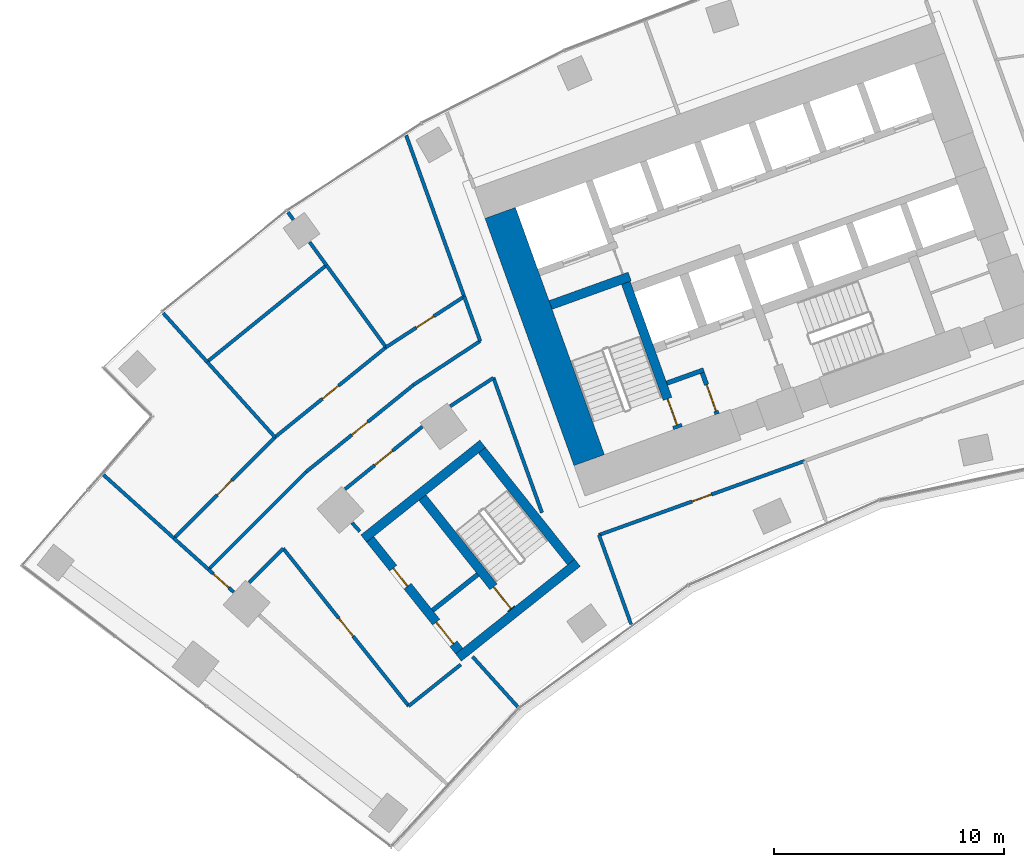
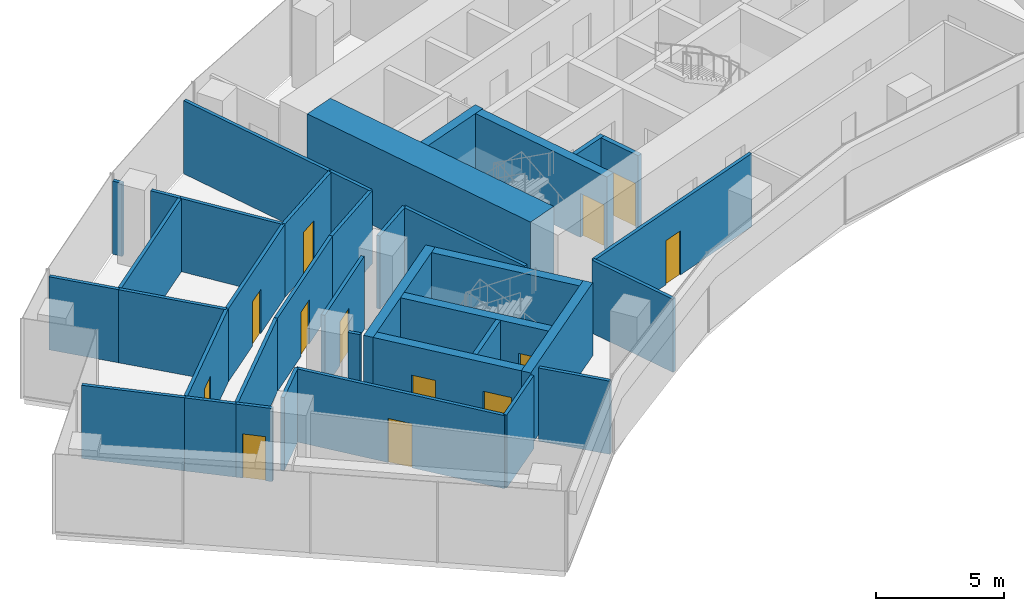
# One storey, part 14 of 21: 38 walls, 13 doors, 13 openings.
"""IFC4 building model written with IfcOpenShell, lengths in metres."""

from ifc_helpers import new_model, si_unit, direction, frame, frame_2d, origin, place, context, subcontext, project, spatial, rectangle, extrude, material, layer, layer_set, type_object, element, fill, save


model = new_model("IFC4")

# Units and contexts
model_context = context("Model", 3, precision=1e-05, world=origin(), true_north=direction((0.0, 1.0)))
body_context = subcontext(model_context, "Body", "Model", "MODEL_VIEW")
ifc_project = project(units=[si_unit("LENGTHUNIT", "METRE"), si_unit("AREAUNIT", "SQUARE_METRE"), si_unit("VOLUMEUNIT", "CUBIC_METRE"), si_unit("PLANEANGLEUNIT", "RADIAN"), si_unit("MASSUNIT", "GRAM", prefix="KILO")], contexts=[model_context])

# Site, building, storey
site_placement = place(None, origin())
site = spatial("IfcSite", under=ifc_project, at=site_placement, CompositionType="ELEMENT")
building_placement = place(site_placement, origin())
building = spatial("IfcBuilding", under=site, at=building_placement, Name="Stone Belt Terrace Tower", CompositionType="ELEMENT")
storey_placement = place(building_placement, frame((0.0, 0.0, 94.60009765625)))
storey = spatial("IfcBuildingStorey", under=building, at=storey_placement, Name="L22", CompositionType="ELEMENT", Elevation=94.60009765625)

# Walls
ifc_material_1 = material(Name="Concrete B80", Category="concrete")
ifc_layer_1 = layer(ifc_material_1, 1.39990234375)
ifc_layer_set_1 = layer_set([ifc_layer_1], Name="Core wall 1400 B80")
wall_type_1 = type_object("IfcWallType", Name="Core wall 1400 B80", PredefinedType="SHEAR", material=ifc_layer_set_1)
wall_1_placement = place(storey_placement, frame((-26.00927734375, 43.03515625, 0.0), z_axis=(0.0, 0.0, 1.0), x_axis=(-0.338625431531, 0.940921259788, 0.0)))
element("IfcWall", 1, at=wall_1_placement, inside=storey, type_object=wall_type_1, Name="Core A wall end_a L22", PredefinedType="SHEAR", context=body_context, shape_type="SweptSolid", body=[
    extrude(rectangle(XDim=11.400146484375, YDim=1.39990234375, at=frame_2d((5.7001953125, 0.0))), origin(), (0.0, 0.0, 1.0), 3.7998046875),
])
ifc_material_2 = material(Name="Gypsum board partition")
ifc_layer_2 = layer(ifc_material_2, 0.14990234375)
ifc_layer_set_2 = layer_set([ifc_layer_2], Name="PARTITION 150 EI 60")
wall_type_2 = type_object("IfcWallType", Name="PARTITION 150 EI 60", PredefinedType="PARTITIONING", material=ifc_layer_set_2)
wall_2_placement = place(storey_placement, frame((-25.5859375, 39.79296875, 0.0), z_axis=(0.0, 0.0, 1.0), x_axis=(0.338545933013, -0.940949866486, 0.0)))
element("IfcWall", 2, at=wall_2_placement, inside=storey, type_object=wall_type_2, Name="L22/wall/i001", PredefinedType="PARTITIONING", context=body_context, shape_type="SweptSolid", body=[
    extrude(rectangle(XDim=4.135009765625, YDim=0.14990234375, at=frame_2d((2.0673828125, 0.0))), origin(), (0.0, 0.0, 1.0), 3.47998046875),
])
wall_3_placement = place(storey_placement, frame((-28.05810546875, 40.75390625, 0.0), z_axis=(0.0, 0.0, 1.0), x_axis=(-0.338523697563, 0.94095786632, 0.0)))
element("IfcWall", 3, at=wall_3_placement, inside=storey, type_object=wall_type_2, Name="L22/wall/i003", PredefinedType="PARTITIONING", context=body_context, shape_type="SweptSolid", body=[
    extrude(rectangle(XDim=6.226806640625, YDim=0.14990234375, at=frame_2d((3.11328125, 0.0))), origin(), (0.0, 0.0, 1.0), 3.47998046875),
])
wall_4_placement = place(storey_placement, frame((-29.107177734375, 32.32666015625, 0.0), z_axis=(0.0, 0.0, 1.0), x_axis=(-0.669245075227, 0.74304174128, 0.0)))
element("IfcWall", 4, at=wall_4_placement, inside=storey, type_object=wall_type_2, Name="L22/wall/i004", PredefinedType="PARTITIONING", context=body_context, shape_type="SweptSolid", body=[
    extrude(rectangle(XDim=2.9345703125, YDim=0.14990234375, at=frame_2d((1.46728515625, 0.0))), origin(), (0.0, 0.0, 1.0), 3.47998046875),
])
wall_5_placement = place(storey_placement, frame((-30.737060546875, 48.197021484375, 0.0), z_axis=(0.0, 0.0, 1.0), x_axis=(-0.338522672426, 0.940958235127, 0.0)))
element("IfcWall", 5, at=wall_5_placement, inside=storey, type_object=wall_type_2, Name="L22/wall/i005", PredefinedType="PARTITIONING", context=body_context, shape_type="SweptSolid", body=[
    extrude(rectangle(XDim=2.064697265625, YDim=0.14990234375, at=frame_2d((1.0322265625, 0.0))), origin(), (0.0, 0.0, 1.0), 3.47998046875),
])
wall_6_placement = place(storey_placement, frame((-31.431884765625, 50.12890625, 0.0), z_axis=(0.0, 0.0, 1.0), x_axis=(-0.338627692375, 0.940920446136, 0.0)))
element("IfcWall", 6, at=wall_6_placement, inside=storey, type_object=wall_type_2, Name="L22/wall/i006", PredefinedType="PARTITIONING", context=body_context, shape_type="SweptSolid", body=[
    extrude(rectangle(XDim=7.44189453125, YDim=0.14990234375, at=frame_2d((3.720947265625, 0.0))), origin(), (0.0, 0.0, 1.0), 3.47998046875),
])

# Wall, opening, door
wall_7_placement = place(storey_placement, frame((-16.6640625, 42.9970703125, 0.0), z_axis=(0.0, 0.0, 1.0), x_axis=(-0.940928114496, -0.338606384098, 0.0)))
wall_7 = element("IfcWall", 7, at=wall_7_placement, inside=storey, type_object=wall_type_2, Name="L22/wall/i012", PredefinedType="PARTITIONING", context=body_context, shape_type="SweptSolid", body=[
    extrude(rectangle(XDim=9.47998046875, YDim=0.14990234375, at=frame_2d((4.739990234375, 0.0))), origin(), (0.0, 0.0, 1.0), 3.47998046875),
])
opening_1_placement = place(wall_7_placement, frame((4.2900390625, 0.0, 0.0)))
opening_1 = element("IfcOpeningElement", 8, at=opening_1_placement, cuts=wall_7, Name="Opening D-B2-01", PredefinedType="OPENING", context=body_context, shape_type="SweptSolid", body=[
    extrude(rectangle(XDim=0.89990234375, YDim=2.10009765625, at=frame_2d((0.449951171875, 1.050048828125))), frame((0.0, 0.0849609375, 0.0), z_axis=(0.0, -1.0, 0.0), x_axis=(1.0, 0.0, 0.0)), (0.0, 0.0, 1.0), 0.169921875),
])
ifc_material_3 = material(Name="Timber door leaf", Category="wood")
door_type_1 = type_object("IfcDoorType", Name="OFFICE DOOR 900 X 2100", OperationType="NOTDEFINED", PredefinedType="DOOR", material=ifc_material_3)
door_1_placement = place(opening_1_placement, origin())
door_1 = element("IfcDoor", 9, at=door_1_placement, inside=storey, type_object=door_type_1, Name="L22/door/i01", OperationType="SINGLE_SWING_RIGHT", OverallHeight=2.10009765625, OverallWidth=0.89990234375, PredefinedType="DOOR", context=body_context, shape_type="SweptSolid", body=[
    extrude(rectangle(XDim=0.89990234375, YDim=2.10009765625, at=frame_2d((0.449951171875, 1.050048828125))), frame((0.0, 0.02490234375, 0.0), z_axis=(0.0, -1.0, 0.0), x_axis=(1.0, 0.0, 0.0)), (0.0, 0.0, 1.0), 0.050048828125),
])
fill(opening_1, door_1)

wall_8_placement = place(storey_placement, frame((-41.43408203125, 37.307373046875, 0.0), z_axis=(0.0, 0.0, 1.0), x_axis=(-0.742890797428, 0.669412625439, 0.0)))
wall_8 = element("IfcWall", 10, at=wall_8_placement, inside=storey, type_object=wall_type_2, Name="L22/wall/i027", PredefinedType="PARTITIONING", context=body_context, shape_type="SweptSolid", body=[
    extrude(rectangle(XDim=1.475341796875, YDim=0.14990234375, at=frame_2d((0.73779296875, 0.0))), origin(), (0.0, 0.0, 1.0), 3.47998046875),
])
opening_2_placement = place(wall_8_placement, frame((0.28759765625, 0.0, 0.0)))
opening_2 = element("IfcOpeningElement", 11, at=opening_2_placement, cuts=wall_8, Name="Opening D-B2-09", PredefinedType="OPENING", context=body_context, shape_type="SweptSolid", body=[
    extrude(rectangle(XDim=0.89990234375, YDim=2.10009765625, at=frame_2d((0.449951171875, 1.050048828125))), frame((0.0, 0.0849609375, 0.0), z_axis=(0.0, -1.0, 0.0), x_axis=(1.0, 0.0, 0.0)), (0.0, 0.0, 1.0), 0.169921875),
])
ifc_material_4 = material(Name="Timber fire door leaf", Category="wood")
door_type_2 = type_object("IfcDoorType", Name="TENANCY ENTRANCE DOOR 900 X 2100", OperationType="NOTDEFINED", PredefinedType="DOOR", material=ifc_material_4)
door_2_placement = place(opening_2_placement, origin())
door_2 = element("IfcDoor", 12, at=door_2_placement, inside=storey, type_object=door_type_2, Name="L22/door/i09", OperationType="SINGLE_SWING_RIGHT", OverallHeight=2.10009765625, OverallWidth=0.89990234375, PredefinedType="DOOR", context=body_context, shape_type="SweptSolid", body=[
    extrude(rectangle(XDim=0.89990234375, YDim=2.10009765625, at=frame_2d((0.449951171875, 1.050048828125))), frame((0.0, 0.02490234375, 0.0), z_axis=(0.0, -1.0, 0.0), x_axis=(1.0, 0.0, 0.0)), (0.0, 0.0, 1.0), 0.050048828125),
])
fill(opening_2, door_2)

# Walls
wall_9_placement = place(storey_placement, frame((-44.033935546875, 39.64794921875, 0.0), z_axis=(0.0, 0.0, 1.0), x_axis=(0.743276242629, -0.668984623997, 0.0)))
element("IfcWall", 13, at=wall_9_placement, inside=storey, type_object=wall_type_2, Name="L22/wall/i029", PredefinedType="PARTITIONING", context=body_context, shape_type="SweptSolid", body=[
    extrude(rectangle(XDim=2.0341796875, YDim=0.14990234375, at=frame_2d((1.01708984375, 0.0))), origin(), (0.0, 0.0, 1.0), 3.47998046875),
])
wall_10_placement = place(storey_placement, frame((-47.08642578125, 42.39697265625, 0.0), z_axis=(0.0, 0.0, 1.0), x_axis=(0.743235201661, -0.669030219805, 0.0)))
element("IfcWall", 14, at=wall_10_placement, inside=storey, type_object=wall_type_2, Name="L22/wall/i030", PredefinedType="PARTITIONING", context=body_context, shape_type="SweptSolid", body=[
    extrude(rectangle(XDim=4.119140625, YDim=0.14990234375, at=frame_2d((2.0595703125, 0.0))), origin(), (0.0, 0.0, 1.0), 3.47998046875),
])
wall_11_placement = place(storey_placement, frame((-30.1640625, 46.60693359375, 0.0), z_axis=(0.0, 0.0, 1.0), x_axis=(-0.835456606052, -0.549556420583, 0.0)))
element("IfcWall", 15, at=wall_11_placement, inside=storey, type_object=wall_type_2, Name="L22/wall/i031", PredefinedType="PARTITIONING", context=body_context, shape_type="SweptSolid", body=[
    extrude(rectangle(XDim=2.239013671875, YDim=0.14990234375, at=frame_2d((1.11962890625, 0.0))), origin(), (0.0, 0.0, 1.0), 3.47998046875),
])

# Wall, opening, door
wall_12_placement = place(storey_placement, frame((-33.253662109375, 44.485107421875, 0.0), z_axis=(0.0, 0.0, 1.0), x_axis=(-0.777153738144, -0.62931078752, 0.0)))
wall_12 = element("IfcWall", 16, at=wall_12_placement, inside=storey, type_object=wall_type_2, Name="L22/wall/i032", PredefinedType="PARTITIONING", context=body_context, shape_type="SweptSolid", body=[
    extrude(rectangle(XDim=4.30517578125, YDim=0.14990234375, at=frame_2d((2.152587890625, 0.0))), origin(), (0.0, 0.0, 1.0), 3.47998046875),
])
opening_3_placement = place(wall_12_placement, frame((1.652587890625, 0.0, 0.0)))
opening_3 = element("IfcOpeningElement", 17, at=opening_3_placement, cuts=wall_12, Name="Opening D-B2-10", PredefinedType="OPENING", context=body_context, shape_type="SweptSolid", body=[
    extrude(rectangle(XDim=1.0, YDim=2.10009765625, at=frame_2d((0.5, 1.050048828125))), frame((0.0, 0.0849609375, 0.0), z_axis=(0.0, -1.0, 0.0), x_axis=(1.0, 0.0, 0.0)), (0.0, 0.0, 1.0), 0.169921875),
])
door_type_3 = type_object("IfcDoorType", Name="TENANCY ENTRANCE DOOR 1000 X 2100", OperationType="NOTDEFINED", PredefinedType="DOOR", material=ifc_material_4)
door_3_placement = place(opening_3_placement, origin())
door_3 = element("IfcDoor", 18, at=door_3_placement, inside=storey, type_object=door_type_3, Name="L22/door/i10", OperationType="SINGLE_SWING_RIGHT", OverallHeight=2.10009765625, OverallWidth=1.0, PredefinedType="DOOR", context=body_context, shape_type="SweptSolid", body=[
    extrude(rectangle(XDim=1.0, YDim=2.10009765625, at=frame_2d((0.5, 1.050048828125))), frame((0.0, 0.02490234375, 0.0), z_axis=(0.0, -1.0, 0.0), x_axis=(1.0, 0.0, 0.0)), (0.0, 0.0, 1.0), 0.050048828125),
])
fill(opening_3, door_3)

# Walls
wall_13_placement = place(storey_placement, frame((-39.281982421875, 39.205078125, 0.0), z_axis=(0.0, 0.0, 1.0), x_axis=(-0.707106781187, -0.707106781187, 0.0)))
element("IfcWall", 19, at=wall_13_placement, inside=storey, type_object=wall_type_2, Name="L22/wall/i033", PredefinedType="PARTITIONING", context=body_context, shape_type="SweptSolid", body=[
    extrude(rectangle(XDim=2.09814453125, YDim=0.14990234375, at=frame_2d((1.049072265625, 0.0))), origin(), (0.0, 0.0, 1.0), 3.47998046875),
])
wall_14_placement = place(storey_placement, frame((-42.52587890625, 38.291015625, 0.0), z_axis=(0.0, 0.0, 1.0), x_axis=(0.707106781187, 0.707106781187, 0.0)))
element("IfcWall", 20, at=wall_14_placement, inside=storey, type_object=wall_type_2, Name="L22/wall/i034", PredefinedType="PARTITIONING", context=body_context, shape_type="SweptSolid", body=[
    extrude(rectangle(XDim=5.989013671875, YDim=0.14990234375, at=frame_2d((2.99462890625, 0.0))), origin(), (0.0, 0.0, 1.0), 3.47998046875),
])

# Wall, opening, door
wall_15_placement = place(storey_placement, frame((-38.291015625, 42.52587890625, 0.0), z_axis=(0.0, 0.0, 1.0), x_axis=(0.777109127033, 0.629365875054, 0.0)))
wall_15 = element("IfcWall", 21, at=wall_15_placement, inside=storey, type_object=wall_type_2, Name="L22/wall/i035", PredefinedType="PARTITIONING", context=body_context, shape_type="SweptSolid", body=[
    extrude(rectangle(XDim=5.990234375, YDim=0.14990234375, at=frame_2d((2.9951171875, 0.0))), origin(), (0.0, 0.0, 1.0), 3.47998046875),
])
opening_4_placement = place(wall_15_placement, frame((2.545166015625, 0.0, 0.0)))
opening_4 = element("IfcOpeningElement", 22, at=opening_4_placement, cuts=wall_15, Name="Opening D-B2-12", PredefinedType="OPENING", context=body_context, shape_type="SweptSolid", body=[
    extrude(rectangle(XDim=0.89990234375, YDim=2.10009765625, at=frame_2d((0.449951171875, 1.050048828125))), frame((0.0, 0.0849609375, 0.0), z_axis=(0.0, -1.0, 0.0), x_axis=(1.0, 0.0, 0.0)), (0.0, 0.0, 1.0), 0.169921875),
])
door_4_placement = place(opening_4_placement, origin())
door_4 = element("IfcDoor", 23, at=door_4_placement, inside=storey, type_object=door_type_1, Name="L22/door/i12", OperationType="SINGLE_SWING_RIGHT", OverallHeight=2.10009765625, OverallWidth=0.89990234375, PredefinedType="DOOR", context=body_context, shape_type="SweptSolid", body=[
    extrude(rectangle(XDim=0.89990234375, YDim=2.10009765625, at=frame_2d((0.449951171875, 1.050048828125))), frame((0.0, 0.02490234375, 0.0), z_axis=(0.0, -1.0, 0.0), x_axis=(1.0, 0.0, 0.0)), (0.0, 0.0, 1.0), 0.050048828125),
])
fill(opening_4, door_4)

# Walls
wall_16_placement = place(storey_placement, frame((-33.635986328125, 46.2958984375, 0.0), z_axis=(0.0, 0.0, 1.0), x_axis=(0.835274160171, 0.549833681535, 0.0)))
element("IfcWall", 24, at=wall_16_placement, inside=storey, type_object=wall_type_2, Name="L22/wall/i036", PredefinedType="PARTITIONING", context=body_context, shape_type="SweptSolid", body=[
    extrude(rectangle(XDim=3.46826171875, YDim=0.14990234375, at=frame_2d((1.734130859375, 0.0))), origin(), (0.0, 0.0, 1.0), 3.47998046875),
])
wall_17_placement = place(storey_placement, frame((-36.297119140625, 40.311767578125, 0.0), z_axis=(0.0, 0.0, 1.0), x_axis=(0.669100229536, -0.743172175768, 0.0)))
element("IfcWall", 25, at=wall_17_placement, inside=storey, type_object=wall_type_2, Name="L22/wall/i037", PredefinedType="PARTITIONING", context=body_context, shape_type="SweptSolid", body=[
    extrude(rectangle(XDim=0.497802734375, YDim=0.14990234375, at=frame_2d((0.2490234375, 0.0))), origin(), (0.0, 0.0, 1.0), 3.47998046875),
])
wall_18_placement = place(storey_placement, frame((-31.58203125, 34.1640625, 0.0), z_axis=(0.0, 0.0, 1.0), x_axis=(-0.78211299795, -0.623136629029, 0.0)))
element("IfcWall", 26, at=wall_18_placement, inside=storey, type_object=wall_type_2, Name="L22/wall/i038", PredefinedType="PARTITIONING", context=body_context, shape_type="SweptSolid", body=[
    extrude(rectangle(XDim=2.88720703125, YDim=0.14990234375, at=frame_2d((1.443603515625, 0.0))), origin(), (0.0, 0.0, 1.0), 3.47998046875),
])

# Wall, opening, door
wall_19_placement = place(storey_placement, frame((-33.841064453125, 32.365966796875, 0.0), z_axis=(0.0, 0.0, 1.0), x_axis=(-0.623078744687, 0.782159112917, 0.0)))
wall_19 = element("IfcWall", 27, at=wall_19_placement, inside=storey, type_object=wall_type_2, Name="L22/wall/i039", PredefinedType="PARTITIONING", context=body_context, shape_type="SweptSolid", body=[
    extrude(rectangle(XDim=8.738525390625, YDim=0.14990234375, at=frame_2d((4.369140625, 0.0))), origin(), (0.0, 0.0, 1.0), 3.47998046875),
])
opening_5_placement = place(wall_19_placement, frame((3.869384765625, 0.0, 0.0)))
opening_5 = element("IfcOpeningElement", 28, at=opening_5_placement, cuts=wall_19, Name="Opening D-B2-11", PredefinedType="OPENING", context=body_context, shape_type="SweptSolid", body=[
    extrude(rectangle(XDim=1.0, YDim=2.10009765625, at=frame_2d((0.5, 1.050048828125))), frame((0.0, 0.0849609375, 0.0), z_axis=(0.0, -1.0, 0.0), x_axis=(1.0, 0.0, 0.0)), (0.0, 0.0, 1.0), 0.169921875),
])
door_5_placement = place(opening_5_placement, origin())
door_5 = element("IfcDoor", 29, at=door_5_placement, inside=storey, type_object=door_type_3, Name="L22/door/i11", OperationType="SINGLE_SWING_RIGHT", OverallHeight=2.10009765625, OverallWidth=1.0, PredefinedType="DOOR", context=body_context, shape_type="SweptSolid", body=[
    extrude(rectangle(XDim=1.0, YDim=2.10009765625, at=frame_2d((0.5, 1.050048828125))), frame((0.0, 0.02490234375, 0.0), z_axis=(0.0, -1.0, 0.0), x_axis=(1.0, 0.0, 0.0)), (0.0, 0.0, 1.0), 0.050048828125),
])
fill(opening_5, door_5)

wall_20_placement = place(storey_placement, frame((-44.029052734375, 39.64501953125, 0.0), z_axis=(0.0, 0.0, 1.0), x_axis=(0.707106781187, 0.707106781187, 0.0)))
wall_20 = element("IfcWall", 30, at=wall_20_placement, inside=storey, type_object=wall_type_2, Name="L22/wall/i040", PredefinedType="PARTITIONING", context=body_context, shape_type="SweptSolid", body=[
    extrude(rectangle(XDim=6.201416015625, YDim=0.14990234375, at=frame_2d((3.1005859375, 0.0))), origin(), (0.0, 0.0, 1.0), 3.47998046875),
])
opening_6_placement = place(wall_20_placement, frame((2.650634765625, 0.0, 0.0)))
opening_6 = element("IfcOpeningElement", 31, at=opening_6_placement, cuts=wall_20, Name="Opening D-B2-13", PredefinedType="OPENING", context=body_context, shape_type="SweptSolid", body=[
    extrude(rectangle(XDim=0.89990234375, YDim=2.10009765625, at=frame_2d((0.449951171875, 1.050048828125))), frame((0.0, 0.0849609375, 0.0), z_axis=(0.0, -1.0, 0.0), x_axis=(1.0, 0.0, 0.0)), (0.0, 0.0, 1.0), 0.169921875),
])
door_6_placement = place(opening_6_placement, origin())
door_6 = element("IfcDoor", 32, at=door_6_placement, inside=storey, type_object=door_type_1, Name="L22/door/i13", OperationType="SINGLE_SWING_RIGHT", OverallHeight=2.10009765625, OverallWidth=0.89990234375, PredefinedType="DOOR", context=body_context, shape_type="SweptSolid", body=[
    extrude(rectangle(XDim=0.89990234375, YDim=2.10009765625, at=frame_2d((0.449951171875, 1.050048828125))), frame((0.0, 0.02490234375, 0.0), z_axis=(0.0, -1.0, 0.0), x_axis=(1.0, 0.0, 0.0)), (0.0, 0.0, 1.0), 0.050048828125),
])
fill(opening_6, door_6)

wall_21_placement = place(storey_placement, frame((-39.64404296875, 44.030029296875, 0.0), z_axis=(0.0, 0.0, 1.0), x_axis=(0.777190769916, 0.629265053184, 0.0)))
wall_21 = element("IfcWall", 33, at=wall_21_placement, inside=storey, type_object=wall_type_2, Name="L22/wall/i041", PredefinedType="PARTITIONING", context=body_context, shape_type="SweptSolid", body=[
    extrude(rectangle(XDim=6.20068359375, YDim=0.14990234375, at=frame_2d((3.100341796875, 0.0))), origin(), (0.0, 0.0, 1.0), 3.47998046875),
])
opening_7_placement = place(wall_21_placement, frame((2.650390625, 0.0, 0.0)))
opening_7 = element("IfcOpeningElement", 34, at=opening_7_placement, cuts=wall_21, Name="Opening D-B2-14", PredefinedType="OPENING", context=body_context, shape_type="SweptSolid", body=[
    extrude(rectangle(XDim=0.89990234375, YDim=2.10009765625, at=frame_2d((0.449951171875, 1.050048828125))), frame((0.0, 0.0849609375, 0.0), z_axis=(0.0, -1.0, 0.0), x_axis=(1.0, 0.0, 0.0)), (0.0, 0.0, 1.0), 0.169921875),
])
door_7_placement = place(opening_7_placement, origin())
door_7 = element("IfcDoor", 35, at=door_7_placement, inside=storey, type_object=door_type_1, Name="L22/door/i14", OperationType="SINGLE_SWING_RIGHT", OverallHeight=2.10009765625, OverallWidth=0.89990234375, PredefinedType="DOOR", context=body_context, shape_type="SweptSolid", body=[
    extrude(rectangle(XDim=0.89990234375, YDim=2.10009765625, at=frame_2d((0.449951171875, 1.050048828125))), frame((0.0, 0.02490234375, 0.0), z_axis=(0.0, -1.0, 0.0), x_axis=(1.0, 0.0, 0.0)), (0.0, 0.0, 1.0), 0.050048828125),
])
fill(opening_7, door_7)

wall_22_placement = place(storey_placement, frame((-34.824951171875, 47.931884765625, 0.0), z_axis=(0.0, 0.0, 1.0), x_axis=(0.838660143757, 0.544655086521, 0.0)))
wall_22 = element("IfcWall", 36, at=wall_22_placement, inside=storey, type_object=wall_type_2, Name="L22/wall/i042", PredefinedType="PARTITIONING", context=body_context, shape_type="SweptSolid", body=[
    extrude(rectangle(XDim=4.043212890625, YDim=0.14990234375, at=frame_2d((2.021484375, 0.0))), origin(), (0.0, 0.0, 1.0), 3.47998046875),
])
opening_8_placement = place(wall_22_placement, frame((1.571533203125, 0.0, 0.0)))
opening_8 = element("IfcOpeningElement", 37, at=opening_8_placement, cuts=wall_22, Name="Opening D-B2-15", PredefinedType="OPENING", context=body_context, shape_type="SweptSolid", body=[
    extrude(rectangle(XDim=0.89990234375, YDim=2.10009765625, at=frame_2d((0.449951171875, 1.050048828125))), frame((0.0, 0.0849609375, 0.0), z_axis=(0.0, -1.0, 0.0), x_axis=(1.0, 0.0, 0.0)), (0.0, 0.0, 1.0), 0.169921875),
])
door_8_placement = place(opening_8_placement, origin())
door_8 = element("IfcDoor", 38, at=door_8_placement, inside=storey, type_object=door_type_1, Name="L22/door/i15", OperationType="SINGLE_SWING_RIGHT", OverallHeight=2.10009765625, OverallWidth=0.89990234375, PredefinedType="DOOR", context=body_context, shape_type="SweptSolid", body=[
    extrude(rectangle(XDim=0.89990234375, YDim=2.10009765625, at=frame_2d((0.449951171875, 1.050048828125))), frame((0.0, 0.02490234375, 0.0), z_axis=(0.0, -1.0, 0.0), x_axis=(1.0, 0.0, 0.0)), (0.0, 0.0, 1.0), 0.050048828125),
])
fill(opening_8, door_8)

# Walls
wall_23_placement = place(storey_placement, frame((-42.592041015625, 47.302978515625, 0.0), z_axis=(0.0, 0.0, 1.0), x_axis=(0.669258646934, -0.74302951725, 0.0)))
element("IfcWall", 39, at=wall_23_placement, inside=storey, type_object=wall_type_2, Name="L22/wall/i043", PredefinedType="PARTITIONING", context=body_context, shape_type="SweptSolid", body=[
    extrude(rectangle(XDim=4.40478515625, YDim=0.14990234375, at=frame_2d((2.202392578125, 0.0))), origin(), (0.0, 0.0, 1.0), 3.47998046875),
])
wall_24_placement = place(storey_placement, frame((-44.496826171875, 49.41943359375, 0.0), z_axis=(0.0, 0.0, 1.0), x_axis=(0.66894586308, -0.743311127502, 0.0)))
element("IfcWall", 40, at=wall_24_placement, inside=storey, type_object=wall_type_2, Name="L22/wall/i044", PredefinedType="PARTITIONING", context=body_context, shape_type="SweptSolid", body=[
    extrude(rectangle(XDim=2.859375, YDim=0.14990234375, at=frame_2d((1.4296875, 0.0))), origin(), (0.0, 0.0, 1.0), 3.47998046875),
])
wall_25_placement = place(storey_placement, frame((-42.587890625, 47.299072265625, 0.0), z_axis=(0.0, 0.0, 1.0), x_axis=(0.777100621569, 0.629376377025, 0.0)))
element("IfcWall", 41, at=wall_25_placement, inside=storey, type_object=wall_type_2, Name="L22/wall/i045", PredefinedType="PARTITIONING", context=body_context, shape_type="SweptSolid", body=[
    extrude(rectangle(XDim=6.661865234375, YDim=0.14990234375, at=frame_2d((3.3310546875, 0.0))), origin(), (0.0, 0.0, 1.0), 3.47998046875),
])
wall_26_placement = place(storey_placement, frame((-37.410888671875, 51.491943359375, 0.0), z_axis=(0.0, 0.0, 1.0), x_axis=(0.587696525109, -0.809081451014, 0.0)))
element("IfcWall", 42, at=wall_26_placement, inside=storey, type_object=wall_type_2, Name="L22/wall/i046", PredefinedType="PARTITIONING", context=body_context, shape_type="SweptSolid", body=[
    extrude(rectangle(XDim=4.400146484375, YDim=0.14990234375, at=frame_2d((2.2001953125, 0.0))), origin(), (0.0, 0.0, 1.0), 3.47998046875),
])
wall_27_placement = place(storey_placement, frame((-39.087890625, 53.7998046875, 0.0), z_axis=(0.0, 0.0, 1.0), x_axis=(0.588207421816, -0.808710101904, 0.0)))
element("IfcWall", 43, at=wall_27_placement, inside=storey, type_object=wall_type_2, Name="L22/wall/i047", PredefinedType="PARTITIONING", context=body_context, shape_type="SweptSolid", body=[
    extrude(rectangle(XDim=0.40625, YDim=0.14990234375, at=frame_2d((0.203125, 0.0))), origin(), (0.0, 0.0, 1.0), 3.47998046875),
])
wall_28_placement = place(storey_placement, frame((-38.1376953125, 52.4921875, 0.0), z_axis=(0.0, 0.0, 1.0), x_axis=(0.587831164671, -0.808983635089, 0.0)))
element("IfcWall", 44, at=wall_28_placement, inside=storey, type_object=wall_type_2, Name="L22/wall/i048", PredefinedType="PARTITIONING", context=body_context, shape_type="SweptSolid", body=[
    extrude(rectangle(XDim=1.236328125, YDim=0.14990234375, at=frame_2d((0.6181640625, 0.0))), origin(), (0.0, 0.0, 1.0), 3.47998046875),
])
ifc_material_5 = material(Name="Concrete masonry block", Category="masonry")
ifc_layer_3 = layer(ifc_material_5, 0.199951171875)
ifc_layer_set_3 = layer_set([ifc_layer_3], Name="Rated lobby wall 200")
wall_type_3 = type_object("IfcWallType", Name="Rated lobby wall 200", PredefinedType="PARTITIONING", material=ifc_layer_set_3)
wall_29_placement = place(storey_placement, frame((-22.640625, 46.373046875, 0.0), z_axis=(0.0, 0.0, 1.0), x_axis=(0.940966110313, 0.338500781747, 0.0)))
element("IfcWall", 45, at=wall_29_placement, inside=storey, type_object=wall_type_3, Name="Core A wall", PredefinedType="PARTITIONING", context=body_context, shape_type="SweptSolid", body=[
    extrude(rectangle(XDim=1.699951171875, YDim=0.199951171875, at=frame_2d((0.85009765625, 0.0))), origin(), (0.0, 0.0, 1.0), 3.47998046875),
])

# Wall, opening, door
wall_30_placement = place(storey_placement, frame((-20.4580078125, 45.032958984375, 0.0), z_axis=(0.0, 0.0, 1.0), x_axis=(-0.338573865316, 0.940939816208, 0.0)))
wall_30 = element("IfcWall", 46, at=wall_30_placement, inside=storey, type_object=wall_type_3, Name="Core A wall", PredefinedType="PARTITIONING", context=body_context, shape_type="SweptSolid", body=[
    extrude(rectangle(XDim=1.900146484375, YDim=0.199951171875, at=frame_2d((0.9501953125, 0.0))), origin(), (0.0, 0.0, 1.0), 3.47998046875),
])
opening_9_placement = place(wall_30_placement, frame((0.14990234375, 0.0, 0.0)))
opening_9 = element("IfcOpeningElement", 47, at=opening_9_placement, cuts=wall_30, Name="Opening L22-C04", PredefinedType="OPENING", context=body_context, shape_type="SweptSolid", body=[
    extrude(rectangle(XDim=1.199951171875, YDim=2.10009765625, at=frame_2d((0.60009765625, 1.050048828125))), frame((0.0, 0.10986328125, 0.0), z_axis=(0.0, -1.0, 0.0), x_axis=(1.0, 0.0, 0.0)), (0.0, 0.0, 1.0), 0.219970703125),
])
ifc_material_6 = material(Name="Steel door leaf", Category="steel")
door_type_4 = type_object("IfcDoorType", Name="Stair door 1200", OperationType="SINGLE_SWING_LEFT", PredefinedType="DOOR", material=ifc_material_6)
door_9_placement = place(opening_9_placement, origin())
door_9 = element("IfcDoor", 48, at=door_9_placement, inside=storey, type_object=door_type_4, Name="Stair airlock door core A", OperationType="SINGLE_SWING_LEFT", OverallHeight=2.10009765625, OverallWidth=1.199951171875, PredefinedType="DOOR", context=body_context, shape_type="SweptSolid", body=[
    extrude(rectangle(XDim=1.199951171875, YDim=2.10009765625, at=frame_2d((0.60009765625, 1.050048828125))), frame((0.0, 0.02490234375, 0.0), z_axis=(0.0, -1.0, 0.0), x_axis=(1.0, 0.0, 0.0)), (0.0, 0.0, 1.0), 0.050048828125),
])
fill(opening_9, door_9)

# Walls
wall_31_placement = place(storey_placement, frame((-30.845703125, 38.074951171875, 0.0), z_axis=(0.0, 0.0, 1.0), x_axis=(-0.782115323833, -0.623133709749, 0.0)))
element("IfcWall", 49, at=wall_31_placement, inside=storey, type_object=wall_type_3, Name="Exit stair ST3A wall", PredefinedType="PARTITIONING", context=body_context, shape_type="SweptSolid", body=[
    extrude(rectangle(XDim=2.5, YDim=0.199951171875, at=frame_2d((1.25, 0.0))), origin(), (0.0, 0.0, 1.0), 3.47998046875),
])
ifc_layer_4 = layer(ifc_material_1, 0.39990234375)
ifc_layer_set_4 = layer_set([ifc_layer_4], Name="Stair enclosure wall 400")
wall_type_4 = type_object("IfcWallType", Name="Stair enclosure wall 400", PredefinedType="SHEAR", material=ifc_layer_set_4)
wall_32_placement = place(storey_placement, frame((-27.687255859375, 49.764404296875, 0.0), z_axis=(0.0, 0.0, 1.0), x_axis=(0.940918954884, 0.338631835981, 0.0)))
element("IfcWall", 50, at=wall_32_placement, inside=storey, type_object=wall_type_4, Name="Core A wall", PredefinedType="SHEAR", context=body_context, shape_type="SweptSolid", body=[
    extrude(rectangle(XDim=3.650146484375, YDim=0.39990234375, at=frame_2d((1.8251953125, 0.0))), origin(), (0.0, 0.0, 1.0), 3.47998046875),
])

# Wall, opening, door
wall_33_placement = place(storey_placement, frame((-22.151611328125, 44.42333984375, 0.0), z_axis=(0.0, 0.0, 1.0), x_axis=(-0.338625272931, 0.940921316866, 0.0)))
wall_33 = element("IfcWall", 51, at=wall_33_placement, inside=storey, type_object=wall_type_4, Name="Core A wall", PredefinedType="SHEAR", context=body_context, shape_type="SweptSolid", body=[
    extrude(rectangle(XDim=6.699951171875, YDim=0.39990234375, at=frame_2d((3.35009765625, 0.0))), origin(), (0.0, 0.0, 1.0), 3.47998046875),
])
opening_10_placement = place(wall_33_placement, frame((0.14990234375, 0.0, 0.0)))
opening_10 = element("IfcOpeningElement", 52, at=opening_10_placement, cuts=wall_33, Name="Opening L22-C03", PredefinedType="OPENING", context=body_context, shape_type="SweptSolid", body=[
    extrude(rectangle(XDim=1.199951171875, YDim=2.10009765625, at=frame_2d((0.60009765625, 1.050048828125))), frame((0.0, 0.2099609375, 0.0), z_axis=(0.0, -1.0, 0.0), x_axis=(1.0, 0.0, 0.0)), (0.0, 0.0, 1.0), 0.419921875),
])
door_10_placement = place(opening_10_placement, origin())
door_10 = element("IfcDoor", 53, at=door_10_placement, inside=storey, type_object=door_type_4, Name="Stair 1 door core A", OperationType="SINGLE_SWING_LEFT", OverallHeight=2.10009765625, OverallWidth=1.199951171875, PredefinedType="DOOR", context=body_context, shape_type="SweptSolid", body=[
    extrude(rectangle(XDim=1.199951171875, YDim=2.10009765625, at=frame_2d((0.60009765625, 1.050048828125))), frame((0.0, 0.02490234375, 0.0), z_axis=(0.0, -1.0, 0.0), x_axis=(1.0, 0.0, 0.0)), (0.0, 0.0, 1.0), 0.050048828125),
])
fill(opening_10, door_10)

# Walls
for number, where, z_axis, x_axis, name in (
    (54, (-26.518798828125, 38.58154296875, 0.0), (0.0, 0.0, 1.0), (-0.782133914161, -0.623110375711, 0.0), "Exit stair ST3A wall"),
    (55, (-30.63134765625, 43.74365234375, 0.0), (0.0, 0.0, 1.0), (-0.782133914161, -0.623110375711, 0.0), "Exit stair ST3A wall"),
):
    element("IfcWall", number, at=place(storey_placement, frame(where, z_axis=z_axis, x_axis=x_axis)), inside=storey, type_object=wall_type_4, Name=name, PredefinedType="SHEAR", context=body_context, shape_type="SweptSolid", body=[
        extrude(rectangle(XDim=6.60009765625, YDim=0.39990234375, at=frame_2d((3.300048828125, 0.0))), origin(), (0.0, 0.0, 1.0), 3.47998046875),
    ])
wall_34_placement = place(storey_placement, frame((-26.7998046875, 38.61328125, 0.0), z_axis=(0.0, 0.0, 1.0), x_axis=(-0.623118653668, 0.782127319208, 0.0)))
element("IfcWall", 56, at=wall_34_placement, inside=storey, type_object=wall_type_4, Name="Exit stair ST3A wall", PredefinedType="SHEAR", context=body_context, shape_type="SweptSolid", body=[
    extrude(rectangle(XDim=6.199951171875, YDim=0.39990234375, at=frame_2d((3.10009765625, 0.0))), origin(), (0.0, 0.0, 1.0), 3.47998046875),
])

# Wall, openings, doors
wall_35_placement = place(storey_placement, frame((-31.64892578125, 34.75, 0.0), z_axis=(0.0, 0.0, 1.0), x_axis=(-0.623118653668, 0.782127319208, 0.0)))
wall_35 = element("IfcWall", 57, at=wall_35_placement, inside=storey, type_object=wall_type_4, Name="Exit stair ST3A wall", PredefinedType="SHEAR", context=body_context, shape_type="SweptSolid", body=[
    extrude(rectangle(XDim=6.199951171875, YDim=0.39990234375, at=frame_2d((3.10009765625, 0.0))), origin(), (0.0, 0.0, 1.0), 3.47998046875),
])
opening_11_placement = place(wall_35_placement, frame((0.39990234375, 0.0, 0.0)))
opening_11 = element("IfcOpeningElement", 58, at=opening_11_placement, cuts=wall_35, Name="Opening L22-C20", PredefinedType="OPENING", context=body_context, shape_type="SweptSolid", body=[
    extrude(rectangle(XDim=1.199951171875, YDim=2.10009765625, at=frame_2d((0.60009765625, 1.050048828125))), frame((0.0, 0.2099609375, 0.0), z_axis=(0.0, -1.0, 0.0), x_axis=(1.0, 0.0, 0.0)), (0.0, 0.0, 1.0), 0.419921875),
])
opening_12_placement = place(wall_35_placement, frame((3.60009765625, 0.0, 0.0)))
opening_12 = element("IfcOpeningElement", 59, at=opening_12_placement, cuts=wall_35, Name="Opening L22-C21", PredefinedType="OPENING", context=body_context, shape_type="SweptSolid", body=[
    extrude(rectangle(XDim=1.0, YDim=2.10009765625, at=frame_2d((0.5, 1.050048828125))), frame((0.0, 0.2099609375, 0.0), z_axis=(0.0, -1.0, 0.0), x_axis=(1.0, 0.0, 0.0)), (0.0, 0.0, 1.0), 0.419921875),
])
door_type_5 = type_object("IfcDoorType", Name="Core room door 1000", OperationType="SINGLE_SWING_LEFT", PredefinedType="DOOR", material=ifc_material_3)
door_11_placement = place(opening_12_placement, origin())
door_11 = element("IfcDoor", 60, at=door_11_placement, inside=storey, type_object=door_type_5, Name="Door to stair pressurisation plant room ST3A", OperationType="SINGLE_SWING_RIGHT", OverallHeight=2.10009765625, OverallWidth=1.0, PredefinedType="DOOR", context=body_context, shape_type="SweptSolid", body=[
    extrude(rectangle(XDim=1.0, YDim=2.10009765625, at=frame_2d((0.5, 1.050048828125))), frame((0.0, 0.02490234375, 0.0), z_axis=(0.0, -1.0, 0.0), x_axis=(1.0, 0.0, 0.0)), (0.0, 0.0, 1.0), 0.050048828125),
])
fill(opening_12, door_11)
door_type_6 = type_object("IfcDoorType", Name="Stair airlock door 1200", OperationType="SINGLE_SWING_LEFT", PredefinedType="DOOR", material=ifc_material_6)
door_12_placement = place(opening_11_placement, origin())
door_12 = element("IfcDoor", 61, at=door_12_placement, inside=storey, type_object=door_type_6, Name="Stair airlock door ST3A", OperationType="SINGLE_SWING_RIGHT", OverallHeight=2.10009765625, OverallWidth=1.199951171875, PredefinedType="DOOR", context=body_context, shape_type="SweptSolid", body=[
    extrude(rectangle(XDim=1.199951171875, YDim=2.10009765625, at=frame_2d((0.60009765625, 1.050048828125))), frame((0.0, 0.02490234375, 0.0), z_axis=(0.0, -1.0, 0.0), x_axis=(1.0, 0.0, 0.0)), (0.0, 0.0, 1.0), 0.050048828125),
])
fill(opening_11, door_12)

# Wall, opening, door
wall_36_placement = place(storey_placement, frame((-29.380859375, 36.556884765625, 0.0), z_axis=(0.0, 0.0, 1.0), x_axis=(-0.623099462847, 0.782142608097, 0.0)))
wall_36 = element("IfcWall", 62, at=wall_36_placement, inside=storey, type_object=wall_type_4, Name="Exit stair ST3A wall", PredefinedType="SHEAR", context=body_context, shape_type="SweptSolid", body=[
    extrude(rectangle(XDim=6.2001953125, YDim=0.39990234375, at=frame_2d((3.10009765625, 0.0))), origin(), (0.0, 0.0, 1.0), 3.47998046875),
])
opening_13_placement = place(wall_36_placement, frame((0.050048828125, 0.0, 0.0)))
opening_13 = element("IfcOpeningElement", 63, at=opening_13_placement, cuts=wall_36, Name="Opening L22-C19", PredefinedType="OPENING", context=body_context, shape_type="SweptSolid", body=[
    extrude(rectangle(XDim=1.199951171875, YDim=2.10009765625, at=frame_2d((0.60009765625, 1.050048828125))), frame((0.0, 0.2099609375, 0.0), z_axis=(0.0, -1.0, 0.0), x_axis=(1.0, 0.0, 0.0)), (0.0, 0.0, 1.0), 0.419921875),
])
door_13_placement = place(opening_13_placement, origin())
door_13 = element("IfcDoor", 64, at=door_13_placement, inside=storey, type_object=door_type_4, Name="Stair door ST3A", OperationType="SINGLE_SWING_LEFT", OverallHeight=2.10009765625, OverallWidth=1.199951171875, PredefinedType="DOOR", context=body_context, shape_type="SweptSolid", body=[
    extrude(rectangle(XDim=1.199951171875, YDim=2.10009765625, at=frame_2d((0.60009765625, 1.050048828125))), frame((0.0, 0.02490234375, 0.0), z_axis=(0.0, -1.0, 0.0), x_axis=(1.0, 0.0, 0.0)), (0.0, 0.0, 1.0), 0.050048828125),
])
fill(opening_13, door_13)

save(model, "model.ifc")
